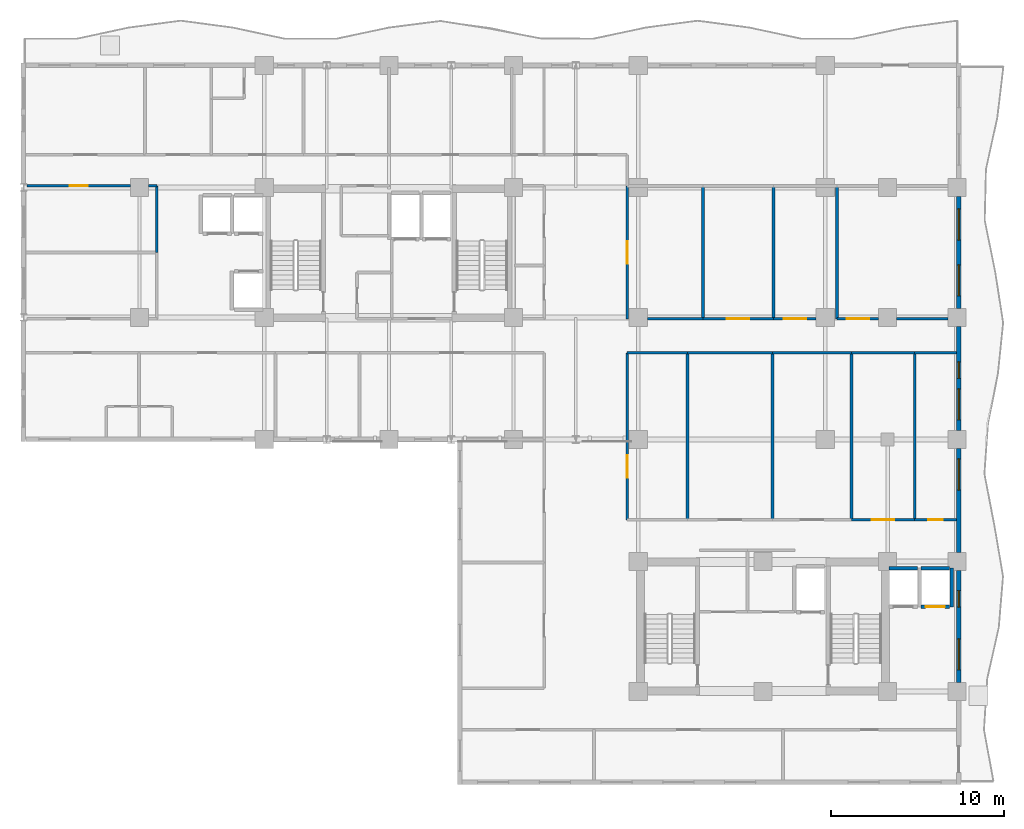
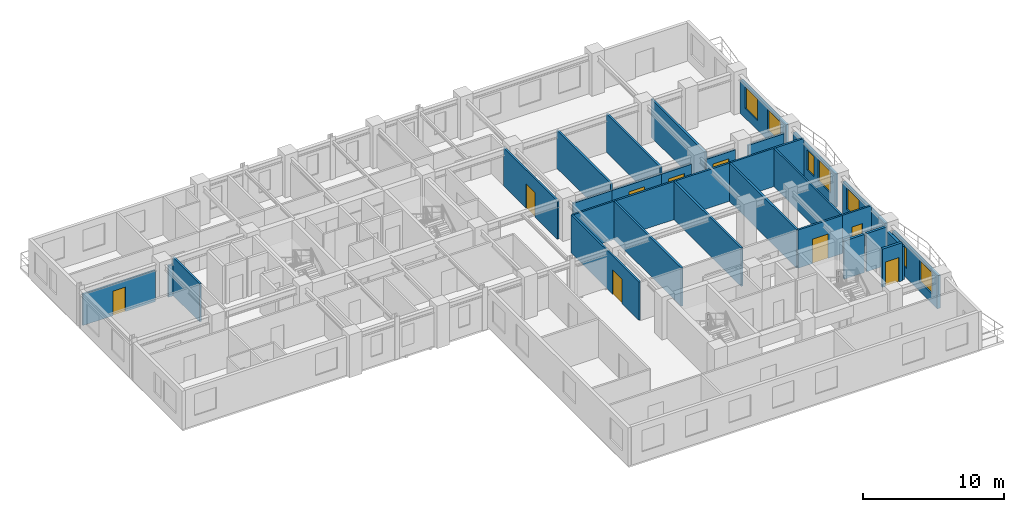
# One storey, part 7 of 13: 32 walls, 9 doors, 7 windows, 16 openings.
"""IFC4 building model written with IfcOpenShell, lengths in metres."""

from ifc_helpers import new_model, si_unit, direction, frame, frame_2d, origin, place, context, subcontext, project, spatial, rectangle, extrude, material, layer, layer_set, type_object, element, fill, save


model = new_model("IFC4")

# Units and contexts
model_context = context("Model", 3, precision=1e-05, world=origin(), true_north=direction((0.0, 1.0)))
body_context = subcontext(model_context, "Body", "Model", "MODEL_VIEW")
ifc_project = project(units=[si_unit("LENGTHUNIT", "METRE"), si_unit("AREAUNIT", "SQUARE_METRE"), si_unit("VOLUMEUNIT", "CUBIC_METRE"), si_unit("PLANEANGLEUNIT", "RADIAN"), si_unit("MASSUNIT", "GRAM", prefix="KILO")], contexts=[model_context])

# Site, building, storey
site_placement = place(None, origin())
site = spatial("IfcSite", under=ifc_project, at=site_placement, CompositionType="ELEMENT")
building_placement = place(site_placement, origin())
building = spatial("IfcBuilding", under=site, at=building_placement, Name="Kaliganga Portal Commons", CompositionType="ELEMENT")
storey_placement = place(building_placement, frame((0.0, 0.0, 188.300048828125)))
storey = spatial("IfcBuildingStorey", under=building, at=storey_placement, Name="L48", CompositionType="ELEMENT", Elevation=188.300048828125)

# Wall, openings, windows
ifc_material_1 = material(Name="Insulated Aluminium-Clad Spandrel Assembly", Category="aluminium")
ifc_layer_1 = layer(ifc_material_1, 0.260009765625)
ifc_layer_set_1 = layer_set([ifc_layer_1], Name="Insulated Aluminium-Clad Spandrel Assembly")
wall_type_1 = type_object("IfcWallType", Name="WL-EXT-SPAND-260", PredefinedType="STANDARD", material=ifc_layer_set_1)
wall_1_placement = place(storey_placement, frame((54.5, 14.02392578125, 0.0), z_axis=(0.0, 0.0, 1.0), x_axis=(0.0, -1.0, 0.0)))
wall_1 = element("IfcWall", 1, at=wall_1_placement, inside=storey, type_object=wall_type_1, Name="Exterior Envelope Wall L48 P1-E01-S2", PredefinedType="STANDARD", context=body_context, shape_type="SweptSolid", body=[
    extrude(rectangle(XDim=6.447998046875, YDim=0.260009765625, at=frame_2d((3.22412109375, 0.0))), origin(), (0.0, 0.0, 1.0), 2.869873046875),
])
opening_1_placement = place(wall_1_placement, frame((3.93603515625, 0.0, 0.85009765625)))
opening_1 = element("IfcOpeningElement", 2, at=opening_1_placement, cuts=wall_1, Name="Opening W-01", PredefinedType="OPENING", context=body_context, shape_type="SweptSolid", body=[
    extrude(rectangle(XDim=1.800048828125, YDim=1.85009765625, at=frame_2d((0.89990234375, 0.925048828125))), frame((0.0, 0.14013671875, 0.0), z_axis=(0.0, -1.0, 0.0), x_axis=(1.0, 0.0, 0.0)), (0.0, 0.0, 1.0), 0.280029296875),
])
opening_2_placement = place(wall_1_placement, frame((1.14990234375, 0.0, 0.85009765625)))
opening_2 = element("IfcOpeningElement", 3, at=opening_2_placement, cuts=wall_1, Name="Opening W-04", PredefinedType="OPENING", context=body_context, shape_type="SweptSolid", body=[
    extrude(rectangle(XDim=0.949951171875, YDim=1.75, at=frame_2d((0.47509765625, 0.875))), frame((0.0, 0.14013671875, 0.0), z_axis=(0.0, -1.0, 0.0), x_axis=(1.0, 0.0, 0.0)), (0.0, 0.0, 1.0), 0.280029296875),
])
ifc_material_2 = material(Name="Thermally Broken Aluminium and Low-E Double Glazing", Category="aluminium")
window_type_1 = type_object("IfcWindowType", Name="WIN-NARROW-950", PartitioningType="SINGLE_PANEL", PredefinedType="WINDOW", material=ifc_material_2)
window_1_placement = place(opening_2_placement, origin())
window_1 = element("IfcWindow", 4, at=window_1_placement, inside=storey, type_object=window_type_1, Name="Facade Window L48-P1E01S2-N1", OverallHeight=1.75, OverallWidth=0.949951171875, PartitioningType="SINGLE_PANEL", PredefinedType="WINDOW", context=body_context, shape_type="SweptSolid", body=[
    extrude(rectangle(XDim=0.949951171875, YDim=1.75, at=frame_2d((0.47509765625, 0.875))), frame((0.0, 0.030029296875, 0.0), z_axis=(0.0, -1.0, 0.0), x_axis=(1.0, 0.0, 0.0)), (0.0, 0.0, 1.0), 0.06005859375),
])
fill(opening_2, window_1)
window_type_2 = type_object("IfcWindowType", Name="WIN-STD-1800", PartitioningType="DOUBLE_PANEL_VERTICAL", PredefinedType="WINDOW", material=ifc_material_2)
window_2_placement = place(opening_1_placement, origin())
window_2 = element("IfcWindow", 5, at=window_2_placement, inside=storey, type_object=window_type_2, Name="Facade Window L48-P1E01S2-01", OverallHeight=1.85009765625, OverallWidth=1.800048828125, PartitioningType="SINGLE_PANEL", PredefinedType="WINDOW", context=body_context, shape_type="SweptSolid", body=[
    extrude(rectangle(XDim=1.800048828125, YDim=1.85009765625, at=frame_2d((0.89990234375, 0.925048828125))), frame((0.0, 0.030029296875, 0.0), z_axis=(0.0, -1.0, 0.0), x_axis=(1.0, 0.0, 0.0)), (0.0, 0.0, 1.0), 0.06005859375),
])
fill(opening_1, window_2)

# Wall, opening, window
wall_2_placement = place(storey_placement, frame((54.5, 21.073974609375, 0.0), z_axis=(0.0, 0.0, 1.0), x_axis=(0.0, -1.0, 0.0)))
wall_2 = element("IfcWall", 6, at=wall_2_placement, inside=storey, type_object=wall_type_1, Name="Exterior Envelope Wall L48 P1-E01-S3", PredefinedType="STANDARD", context=body_context, shape_type="SweptSolid", body=[
    extrude(rectangle(XDim=5.998046875, YDim=0.260009765625, at=frame_2d((2.9990234375, 0.0))), origin(), (0.0, 0.0, 1.0), 2.869873046875),
])
opening_3_placement = place(wall_2_placement, frame((0.599609375, 0.0, 0.85009765625)))
opening_3 = element("IfcOpeningElement", 7, at=opening_3_placement, cuts=wall_2, Name="Opening W-01", PredefinedType="OPENING", context=body_context, shape_type="SweptSolid", body=[
    extrude(rectangle(XDim=1.800048828125, YDim=1.85009765625, at=frame_2d((0.89990234375, 0.925048828125))), frame((0.0, 0.14013671875, 0.0), z_axis=(0.0, -1.0, 0.0), x_axis=(1.0, 0.0, 0.0)), (0.0, 0.0, 1.0), 0.280029296875),
])
window_3_placement = place(opening_3_placement, origin())
window_3 = element("IfcWindow", 8, at=window_3_placement, inside=storey, type_object=window_type_2, Name="Facade Window L48-P1E01S3-00", OverallHeight=1.85009765625, OverallWidth=1.800048828125, PartitioningType="SINGLE_PANEL", PredefinedType="WINDOW", context=body_context, shape_type="SweptSolid", body=[
    extrude(rectangle(XDim=1.800048828125, YDim=1.85009765625, at=frame_2d((0.89990234375, 0.925048828125))), frame((0.0, 0.030029296875, 0.0), z_axis=(0.0, -1.0, 0.0), x_axis=(1.0, 0.0, 0.0)), (0.0, 0.0, 1.0), 0.06005859375),
])
fill(opening_3, window_3)

# Wall, openings, windows
wall_3_placement = place(storey_placement, frame((54.5, 28.1240234375, 0.0), z_axis=(0.0, 0.0, 1.0), x_axis=(0.0, -1.0, 0.0)))
wall_3 = element("IfcWall", 9, at=wall_3_placement, inside=storey, type_object=wall_type_1, Name="Exterior Envelope Wall L48 P1-E01-S4", PredefinedType="STANDARD", context=body_context, shape_type="SweptSolid", body=[
    extrude(rectangle(XDim=5.998046875, YDim=0.260009765625, at=frame_2d((2.9990234375, 0.0))), origin(), (0.0, 0.0, 1.0), 2.869873046875),
])
opening_4_placement = place(wall_3_placement, frame((3.598388671875, 0.0, 0.85009765625)))
opening_4 = element("IfcOpeningElement", 10, at=opening_4_placement, cuts=wall_3, Name="Opening W-01", PredefinedType="OPENING", context=body_context, shape_type="SweptSolid", body=[
    extrude(rectangle(XDim=1.800048828125, YDim=1.85009765625, at=frame_2d((0.89990234375, 0.925048828125))), frame((0.0, 0.14013671875, 0.0), z_axis=(0.0, -1.0, 0.0), x_axis=(1.0, 0.0, 0.0)), (0.0, 0.0, 1.0), 0.280029296875),
])
opening_5_placement = place(wall_3_placement, frame((2.044189453125, 0.0, 0.85009765625)))
opening_5 = element("IfcOpeningElement", 11, at=opening_5_placement, cuts=wall_3, Name="Opening W-04", PredefinedType="OPENING", context=body_context, shape_type="SweptSolid", body=[
    extrude(rectangle(XDim=0.949951171875, YDim=1.75, at=frame_2d((0.47509765625, 0.875))), frame((0.0, 0.14013671875, 0.0), z_axis=(0.0, -1.0, 0.0), x_axis=(1.0, 0.0, 0.0)), (0.0, 0.0, 1.0), 0.280029296875),
])
window_4_placement = place(opening_5_placement, origin())
window_4 = element("IfcWindow", 12, at=window_4_placement, inside=storey, type_object=window_type_1, Name="Facade Window L48-P1E01S4-N5", OverallHeight=1.75, OverallWidth=0.949951171875, PartitioningType="SINGLE_PANEL", PredefinedType="WINDOW", context=body_context, shape_type="SweptSolid", body=[
    extrude(rectangle(XDim=0.949951171875, YDim=1.75, at=frame_2d((0.47509765625, 0.875))), frame((0.0, 0.030029296875, 0.0), z_axis=(0.0, -1.0, 0.0), x_axis=(1.0, 0.0, 0.0)), (0.0, 0.0, 1.0), 0.06005859375),
])
fill(opening_5, window_4)
window_5_placement = place(opening_4_placement, origin())
window_5 = element("IfcWindow", 13, at=window_5_placement, inside=storey, type_object=window_type_2, Name="Facade Window L48-P1E01S4-01", OverallHeight=1.85009765625, OverallWidth=1.800048828125, PartitioningType="SINGLE_PANEL", PredefinedType="WINDOW", context=body_context, shape_type="SweptSolid", body=[
    extrude(rectangle(XDim=1.800048828125, YDim=1.85009765625, at=frame_2d((0.89990234375, 0.925048828125))), frame((0.0, 0.030029296875, 0.0), z_axis=(0.0, -1.0, 0.0), x_axis=(1.0, 0.0, 0.0)), (0.0, 0.0, 1.0), 0.06005859375),
])
fill(opening_4, window_5)

wall_4_placement = place(storey_placement, frame((54.5, 35.6240234375, 0.0), z_axis=(0.0, 0.0, 1.0), x_axis=(0.0, -1.0, 0.0)))
wall_4 = element("IfcWall", 14, at=wall_4_placement, inside=storey, type_object=wall_type_1, Name="Exterior Envelope Wall L48 P1-E01-S5", PredefinedType="STANDARD", context=body_context, shape_type="SweptSolid", body=[
    extrude(rectangle(XDim=6.447998046875, YDim=0.260009765625, at=frame_2d((3.22412109375, 0.0))), origin(), (0.0, 0.0, 1.0), 2.869873046875),
])
opening_6_placement = place(wall_4_placement, frame((0.7119140625, 0.0, 0.85009765625)))
opening_6 = element("IfcOpeningElement", 15, at=opening_6_placement, cuts=wall_4, Name="Opening W-01", PredefinedType="OPENING", context=body_context, shape_type="SweptSolid", body=[
    extrude(rectangle(XDim=1.800048828125, YDim=1.85009765625, at=frame_2d((0.89990234375, 0.925048828125))), frame((0.0, 0.14013671875, 0.0), z_axis=(0.0, -1.0, 0.0), x_axis=(1.0, 0.0, 0.0)), (0.0, 0.0, 1.0), 0.280029296875),
])
opening_7_placement = place(wall_4_placement, frame((3.93603515625, 0.0, 0.85009765625)))
opening_7 = element("IfcOpeningElement", 16, at=opening_7_placement, cuts=wall_4, Name="Opening W-01", PredefinedType="OPENING", context=body_context, shape_type="SweptSolid", body=[
    extrude(rectangle(XDim=1.800048828125, YDim=1.85009765625, at=frame_2d((0.89990234375, 0.925048828125))), frame((0.0, 0.14013671875, 0.0), z_axis=(0.0, -1.0, 0.0), x_axis=(1.0, 0.0, 0.0)), (0.0, 0.0, 1.0), 0.280029296875),
])
window_6_placement = place(opening_6_placement, origin())
window_6 = element("IfcWindow", 17, at=window_6_placement, inside=storey, type_object=window_type_2, Name="Facade Window L48-P1E01S5-00", OverallHeight=1.85009765625, OverallWidth=1.800048828125, PartitioningType="SINGLE_PANEL", PredefinedType="WINDOW", context=body_context, shape_type="SweptSolid", body=[
    extrude(rectangle(XDim=1.800048828125, YDim=1.85009765625, at=frame_2d((0.89990234375, 0.925048828125))), frame((0.0, 0.030029296875, 0.0), z_axis=(0.0, -1.0, 0.0), x_axis=(1.0, 0.0, 0.0)), (0.0, 0.0, 1.0), 0.06005859375),
])
fill(opening_6, window_6)
window_7_placement = place(opening_7_placement, origin())
window_7 = element("IfcWindow", 18, at=window_7_placement, inside=storey, type_object=window_type_2, Name="Facade Window L48-P1E01S5-01", OverallHeight=1.85009765625, OverallWidth=1.800048828125, PartitioningType="SINGLE_PANEL", PredefinedType="WINDOW", context=body_context, shape_type="SweptSolid", body=[
    extrude(rectangle(XDim=1.800048828125, YDim=1.85009765625, at=frame_2d((0.89990234375, 0.925048828125))), frame((0.0, 0.030029296875, 0.0), z_axis=(0.0, -1.0, 0.0), x_axis=(1.0, 0.0, 0.0)), (0.0, 0.0, 1.0), 0.06005859375),
])
fill(opening_7, window_7)

# Wall, opening, door
ifc_material_3 = material(Name="Fire-Rated Gypsum Board on Steel Stud", Category="steel")
ifc_layer_2 = layer(ifc_material_3, 0.14990234375)
ifc_layer_set_2 = layer_set([ifc_layer_2], Name="Fire-Rated Gypsum Board on Steel Stud")
wall_type_2 = type_object("IfcWallType", Name="WL-PART-CORR-150", PredefinedType="PARTITIONING", material=ifc_layer_set_2)
wall_5_placement = place(storey_placement, frame((35.360107421875, 16.9599609375, 0.0), z_axis=(0.0, 0.0, 1.0), x_axis=(0.0, 1.0, 0.0)))
wall_5 = element("IfcWall", 19, at=wall_5_placement, inside=storey, type_object=wall_type_2, Name="Interior Partition L48-012", PredefinedType="PARTITIONING", context=body_context, shape_type="SweptSolid", body=[
    extrude(rectangle(XDim=9.64013671875, YDim=0.14990234375, at=frame_2d((4.820068359375, 0.0))), origin(), (0.0, 0.0, 1.0), 3.320068359375),
])
opening_8_placement = place(wall_5_placement, frame((2.434814453125, 0.0, 0.0)))
opening_8 = element("IfcOpeningElement", 20, at=opening_8_placement, cuts=wall_5, Name="Opening RD-03", PredefinedType="OPENING", context=body_context, shape_type="SweptSolid", body=[
    extrude(rectangle(XDim=1.300048828125, YDim=2.1201171875, at=frame_2d((0.64990234375, 1.06005859375))), frame((0.0, 0.0849609375, 0.0), z_axis=(0.0, -1.0, 0.0), x_axis=(1.0, 0.0, 0.0)), (0.0, 0.0, 1.0), 0.169921875),
])
ifc_material_4 = material(Name="Glazed Timber Seminar Vision Door", Category="wood")
door_type_1 = type_object("IfcDoorType", Name="DR-STUDY-1300", OperationType="DOUBLE_DOOR_SINGLE_SWING", PredefinedType="DOOR", material=ifc_material_4)
door_1_placement = place(opening_8_placement, origin())
door_1 = element("IfcDoor", 21, at=door_1_placement, inside=storey, type_object=door_type_1, Name="Interior Door L48-BM01", OperationType="DOUBLE_DOOR_SINGLE_SWING", OverallHeight=2.1201171875, OverallWidth=1.300048828125, PredefinedType="DOOR", context=body_context, shape_type="SweptSolid", body=[
    extrude(rectangle(XDim=1.300048828125, YDim=2.1201171875, at=frame_2d((0.64990234375, 1.06005859375))), frame((0.0, 0.02490234375, 0.0), z_axis=(0.0, -1.0, 0.0), x_axis=(1.0, 0.0, 0.0)), (0.0, 0.0, 1.0), 0.050048828125),
])
fill(opening_8, door_1)

wall_6_placement = place(storey_placement, frame((0.701904296875, 36.239990234375, 0.0), z_axis=(0.0, 0.0, 1.0), x_axis=(1.0, 0.0, 0.0)))
wall_6 = element("IfcWall", 22, at=wall_6_placement, inside=storey, type_object=wall_type_2, Name="Interior Partition L48-017", PredefinedType="PARTITIONING", context=body_context, shape_type="SweptSolid", body=[
    extrude(rectangle(XDim=5.97314453125, YDim=0.14990234375, at=frame_2d((2.986572265625, 0.0))), origin(), (0.0, 0.0, 1.0), 2.719970703125),
])
opening_9_placement = place(wall_6_placement, frame((2.46142578125, 0.0, 0.0)))
opening_9 = element("IfcOpeningElement", 23, at=opening_9_placement, cuts=wall_6, Name="Opening UD-02", PredefinedType="OPENING", context=body_context, shape_type="SweptSolid", body=[
    extrude(rectangle(XDim=1.050048828125, YDim=2.1201171875, at=frame_2d((0.52490234375, 1.06005859375))), frame((0.0, 0.0849609375, 0.0), z_axis=(0.0, -1.0, 0.0), x_axis=(1.0, 0.0, 0.0)), (0.0, 0.0, 1.0), 0.169921875),
])
ifc_material_5 = material(Name="Accessible Wide-Leaf Acoustic Fire Door", Category="wood")
door_type_2 = type_object("IfcDoorType", Name="DR-ACC-1050", OperationType="NOTDEFINED", PredefinedType="DOOR", material=ifc_material_5)
door_2_placement = place(opening_9_placement, origin())
door_2 = element("IfcDoor", 24, at=door_2_placement, inside=storey, type_object=door_type_2, Name="Interior Door L48-AW02", OperationType="SINGLE_SWING_RIGHT", OverallHeight=2.1201171875, OverallWidth=1.050048828125, PredefinedType="DOOR", context=body_context, shape_type="SweptSolid", body=[
    extrude(rectangle(XDim=1.050048828125, YDim=2.1201171875, at=frame_2d((0.52490234375, 1.06005859375))), frame((0.0, 0.02490234375, 0.0), z_axis=(0.0, -1.0, 0.0), x_axis=(1.0, 0.0, 0.0)), (0.0, 0.0, 1.0), 0.050048828125),
])
fill(opening_9, door_2)

# Wall
wall_7_placement = place(storey_placement, frame((7.72509765625, 36.239990234375, 0.0), z_axis=(0.0, 0.0, 1.0), x_axis=(1.0, 0.0, 0.0)))
element("IfcWall", 25, at=wall_7_placement, inside=storey, type_object=wall_type_2, Name="Interior Partition L48-018", PredefinedType="PARTITIONING", context=body_context, shape_type="SweptSolid", body=[
    extrude(rectangle(XDim=0.474853515625, YDim=0.14990234375, at=frame_2d((0.2373046875, 0.0))), origin(), (0.0, 0.0, 1.0), 2.719970703125),
])

# Wall, opening, door
wall_8_placement = place(storey_placement, frame((35.360107421875, 28.56005859375, 0.0), z_axis=(0.0, 0.0, 1.0), x_axis=(0.0, 1.0, 0.0)))
wall_8 = element("IfcWall", 26, at=wall_8_placement, inside=storey, type_object=wall_type_2, Name="Interior Partition L48-019", PredefinedType="PARTITIONING", context=body_context, shape_type="SweptSolid", body=[
    extrude(rectangle(XDim=7.679931640625, YDim=0.14990234375, at=frame_2d((3.83984375, 0.0))), origin(), (0.0, 0.0, 1.0), 3.320068359375),
])
opening_10_placement = place(wall_8_placement, frame((3.18994140625, 0.0, 0.0)))
opening_10 = element("IfcOpeningElement", 27, at=opening_10_placement, cuts=wall_8, Name="Opening RD-03", PredefinedType="OPENING", context=body_context, shape_type="SweptSolid", body=[
    extrude(rectangle(XDim=1.300048828125, YDim=2.1201171875, at=frame_2d((0.64990234375, 1.06005859375))), frame((0.0, 0.0849609375, 0.0), z_axis=(0.0, -1.0, 0.0), x_axis=(1.0, 0.0, 0.0)), (0.0, 0.0, 1.0), 0.169921875),
])
door_3_placement = place(opening_10_placement, origin())
door_3 = element("IfcDoor", 28, at=door_3_placement, inside=storey, type_object=door_type_1, Name="Interior Door L48-BK01", OperationType="DOUBLE_DOOR_SINGLE_SWING", OverallHeight=2.1201171875, OverallWidth=1.300048828125, PredefinedType="DOOR", context=body_context, shape_type="SweptSolid", body=[
    extrude(rectangle(XDim=1.300048828125, YDim=2.1201171875, at=frame_2d((0.64990234375, 1.06005859375))), frame((0.0, 0.02490234375, 0.0), z_axis=(0.0, -1.0, 0.0), x_axis=(1.0, 0.0, 0.0)), (0.0, 0.0, 1.0), 0.050048828125),
])
fill(opening_10, door_3)

wall_9_placement = place(storey_placement, frame((47.47998046875, 28.56005859375, 0.0), z_axis=(0.0, 0.0, 1.0), x_axis=(1.0, 0.0, 0.0)))
wall_9 = element("IfcWall", 29, at=wall_9_placement, inside=storey, type_object=wall_type_2, Name="Interior Partition L48-023", PredefinedType="PARTITIONING", context=body_context, shape_type="SweptSolid", body=[
    extrude(rectangle(XDim=2.39501953125, YDim=0.14990234375, at=frame_2d((1.197509765625, 0.0))), origin(), (0.0, 0.0, 1.0), 2.719970703125),
])
opening_11_placement = place(wall_9_placement, frame((0.547607421875, 0.0, 0.0)))
opening_11 = element("IfcOpeningElement", 30, at=opening_11_placement, cuts=wall_9, Name="Opening RD-03", PredefinedType="OPENING", context=body_context, shape_type="SweptSolid", body=[
    extrude(rectangle(XDim=1.300048828125, YDim=2.1201171875, at=frame_2d((0.64990234375, 1.06005859375))), frame((0.0, 0.0849609375, 0.0), z_axis=(0.0, -1.0, 0.0), x_axis=(1.0, 0.0, 0.0)), (0.0, 0.0, 1.0), 0.169921875),
])
door_4_placement = place(opening_11_placement, origin())
door_4 = element("IfcDoor", 31, at=door_4_placement, inside=storey, type_object=door_type_1, Name="Interior Door L48-BK04", OperationType="DOUBLE_DOOR_SINGLE_SWING", OverallHeight=2.1201171875, OverallWidth=1.300048828125, PredefinedType="DOOR", context=body_context, shape_type="SweptSolid", body=[
    extrude(rectangle(XDim=1.300048828125, YDim=2.1201171875, at=frame_2d((0.64990234375, 1.06005859375))), frame((0.0, 0.02490234375, 0.0), z_axis=(0.0, -1.0, 0.0), x_axis=(1.0, 0.0, 0.0)), (0.0, 0.0, 1.0), 0.050048828125),
])
fill(opening_11, door_4)

# Walls
wall_10_placement = place(storey_placement, frame((50.925048828125, 28.56005859375, 0.0), z_axis=(0.0, 0.0, 1.0), x_axis=(1.0, 0.0, 0.0)))
element("IfcWall", 32, at=wall_10_placement, inside=storey, type_object=wall_type_2, Name="Interior Partition L48-024", PredefinedType="PARTITIONING", context=body_context, shape_type="SweptSolid", body=[
    extrude(rectangle(XDim=2.949951171875, YDim=0.14990234375, at=frame_2d((1.47509765625, 0.0))), origin(), (0.0, 0.0, 1.0), 2.719970703125),
])
wall_11_placement = place(storey_placement, frame((38.840087890625, 26.60009765625, 0.0), z_axis=(0.0, 0.0, 1.0), x_axis=(1.0, 0.0, 0.0)))
element("IfcWall", 33, at=wall_11_placement, inside=storey, type_object=wall_type_2, Name="Interior Partition L48-031", PredefinedType="PARTITIONING", context=body_context, shape_type="SweptSolid", body=[
    extrude(rectangle(XDim=4.919921875, YDim=0.14990234375, at=frame_2d((2.4599609375, 0.0))), origin(), (0.0, 0.0, 1.0), 3.320068359375),
])
wall_12_placement = place(storey_placement, frame((43.760009765625, 26.60009765625, 0.0), z_axis=(0.0, 0.0, 1.0), x_axis=(1.0, 0.0, 0.0)))
element("IfcWall", 34, at=wall_12_placement, inside=storey, type_object=wall_type_2, Name="Interior Partition L48-037", PredefinedType="PARTITIONING", context=body_context, shape_type="SweptSolid", body=[
    extrude(rectangle(XDim=4.56005859375, YDim=0.14990234375, at=frame_2d((2.280029296875, 0.0))), origin(), (0.0, 0.0, 1.0), 3.320068359375),
])
wall_13_placement = place(storey_placement, frame((36.52490234375, 28.56005859375, 0.0), z_axis=(0.0, 0.0, 1.0), x_axis=(1.0, 0.0, 0.0)))
element("IfcWall", 35, at=wall_13_placement, inside=storey, type_object=wall_type_2, Name="Interior Partition L48-038", PredefinedType="PARTITIONING", context=body_context, shape_type="SweptSolid", body=[
    extrude(rectangle(XDim=3.215087890625, YDim=0.14990234375, at=frame_2d((1.607421875, 0.0))), origin(), (0.0, 0.0, 1.0), 2.719970703125),
])

# Wall, opening, door
wall_14_placement = place(storey_placement, frame((39.739990234375, 28.56005859375, 0.0), z_axis=(0.0, 0.0, 1.0), x_axis=(1.0, 0.0, 0.0)))
wall_14 = element("IfcWall", 36, at=wall_14_placement, inside=storey, type_object=wall_type_2, Name="Interior Partition L48-039", PredefinedType="PARTITIONING", context=body_context, shape_type="SweptSolid", body=[
    extrude(rectangle(XDim=4.06005859375, YDim=0.14990234375, at=frame_2d((2.030029296875, 0.0))), origin(), (0.0, 0.0, 1.0), 2.719970703125),
])
opening_12_placement = place(wall_14_placement, frame((1.3798828125, 0.0, 0.0)))
opening_12 = element("IfcOpeningElement", 37, at=opening_12_placement, cuts=wall_14, Name="Opening RD-03", PredefinedType="OPENING", context=body_context, shape_type="SweptSolid", body=[
    extrude(rectangle(XDim=1.300048828125, YDim=2.1201171875, at=frame_2d((0.64990234375, 1.06005859375))), frame((0.0, 0.0849609375, 0.0), z_axis=(0.0, -1.0, 0.0), x_axis=(1.0, 0.0, 0.0)), (0.0, 0.0, 1.0), 0.169921875),
])
door_5_placement = place(opening_12_placement, origin())
door_5 = element("IfcDoor", 38, at=door_5_placement, inside=storey, type_object=door_type_1, Name="Interior Door L48-BK02", OperationType="DOUBLE_DOOR_SINGLE_SWING", OverallHeight=2.1201171875, OverallWidth=1.300048828125, PredefinedType="DOOR", context=body_context, shape_type="SweptSolid", body=[
    extrude(rectangle(XDim=1.300048828125, YDim=2.1201171875, at=frame_2d((0.64990234375, 1.06005859375))), frame((0.0, 0.02490234375, 0.0), z_axis=(0.0, -1.0, 0.0), x_axis=(1.0, 0.0, 0.0)), (0.0, 0.0, 1.0), 0.050048828125),
])
fill(opening_12, door_5)

# Wall
wall_15_placement = place(storey_placement, frame((8.199951171875, 32.39990234375, 0.0), z_axis=(0.0, 0.0, 1.0), x_axis=(0.0, 1.0, 0.0)))
element("IfcWall", 39, at=wall_15_placement, inside=storey, type_object=wall_type_2, Name="Interior Partition L48-040", PredefinedType="PARTITIONING", context=body_context, shape_type="SweptSolid", body=[
    extrude(rectangle(XDim=3.840087890625, YDim=0.14990234375, at=frame_2d((1.919921875, 0.0))), origin(), (0.0, 0.0, 1.0), 3.320068359375),
])

# Wall, opening, door
wall_16_placement = place(storey_placement, frame((43.800048828125, 28.56005859375, 0.0), z_axis=(0.0, 0.0, 1.0), x_axis=(1.0, 0.0, 0.0)))
wall_16 = element("IfcWall", 40, at=wall_16_placement, inside=storey, type_object=wall_type_2, Name="Interior Partition L48-043", PredefinedType="PARTITIONING", context=body_context, shape_type="SweptSolid", body=[
    extrude(rectangle(XDim=2.474853515625, YDim=0.14990234375, at=frame_2d((1.2373046875, 0.0))), origin(), (0.0, 0.0, 1.0), 2.719970703125),
])
opening_13_placement = place(wall_16_placement, frame((0.58740234375, 0.0, 0.0)))
opening_13 = element("IfcOpeningElement", 41, at=opening_13_placement, cuts=wall_16, Name="Opening RD-03", PredefinedType="OPENING", context=body_context, shape_type="SweptSolid", body=[
    extrude(rectangle(XDim=1.300048828125, YDim=2.1201171875, at=frame_2d((0.64990234375, 1.06005859375))), frame((0.0, 0.0849609375, 0.0), z_axis=(0.0, -1.0, 0.0), x_axis=(1.0, 0.0, 0.0)), (0.0, 0.0, 1.0), 0.169921875),
])
door_6_placement = place(opening_13_placement, origin())
door_6 = element("IfcDoor", 42, at=door_6_placement, inside=storey, type_object=door_type_1, Name="Interior Door L48-BK03", OperationType="DOUBLE_DOOR_SINGLE_SWING", OverallHeight=2.1201171875, OverallWidth=1.300048828125, PredefinedType="DOOR", context=body_context, shape_type="SweptSolid", body=[
    extrude(rectangle(XDim=1.300048828125, YDim=2.1201171875, at=frame_2d((0.64990234375, 1.06005859375))), frame((0.0, 0.02490234375, 0.0), z_axis=(0.0, -1.0, 0.0), x_axis=(1.0, 0.0, 0.0)), (0.0, 0.0, 1.0), 0.050048828125),
])
fill(opening_13, door_6)

wall_17_placement = place(storey_placement, frame((48.320068359375, 16.9599609375, 0.0), z_axis=(0.0, 0.0, 1.0), x_axis=(1.0, 0.0, 0.0)))
wall_17 = element("IfcWall", 43, at=wall_17_placement, inside=storey, type_object=wall_type_2, Name="Interior Partition L48-044", PredefinedType="PARTITIONING", context=body_context, shape_type="SweptSolid", body=[
    extrude(rectangle(XDim=3.639892578125, YDim=0.14990234375, at=frame_2d((1.81982421875, 0.0))), origin(), (0.0, 0.0, 1.0), 3.320068359375),
])
opening_14_placement = place(wall_17_placement, frame((1.169921875, 0.0, 0.0)))
opening_14 = element("IfcOpeningElement", 44, at=opening_14_placement, cuts=wall_17, Name="Opening RD-03", PredefinedType="OPENING", context=body_context, shape_type="SweptSolid", body=[
    extrude(rectangle(XDim=1.300048828125, YDim=2.1201171875, at=frame_2d((0.64990234375, 1.06005859375))), frame((0.0, 0.0849609375, 0.0), z_axis=(0.0, -1.0, 0.0), x_axis=(1.0, 0.0, 0.0)), (0.0, 0.0, 1.0), 0.169921875),
])
door_7_placement = place(opening_14_placement, origin())
door_7 = element("IfcDoor", 45, at=door_7_placement, inside=storey, type_object=door_type_1, Name="Interior Door L48-BM04", OperationType="DOUBLE_DOOR_SINGLE_SWING", OverallHeight=2.1201171875, OverallWidth=1.300048828125, PredefinedType="DOOR", context=body_context, shape_type="SweptSolid", body=[
    extrude(rectangle(XDim=1.300048828125, YDim=2.1201171875, at=frame_2d((0.64990234375, 1.06005859375))), frame((0.0, 0.02490234375, 0.0), z_axis=(0.0, -1.0, 0.0), x_axis=(1.0, 0.0, 0.0)), (0.0, 0.0, 1.0), 0.050048828125),
])
fill(opening_14, door_7)

# Walls
wall_18_placement = place(storey_placement, frame((48.320068359375, 26.60009765625, 0.0), z_axis=(0.0, 0.0, 1.0), x_axis=(1.0, 0.0, 0.0)))
element("IfcWall", 46, at=wall_18_placement, inside=storey, type_object=wall_type_2, Name="Interior Partition L48-045", PredefinedType="PARTITIONING", context=body_context, shape_type="SweptSolid", body=[
    extrude(rectangle(XDim=3.639892578125, YDim=0.14990234375, at=frame_2d((1.81982421875, 0.0))), origin(), (0.0, 0.0, 1.0), 3.320068359375),
])
wall_19_placement = place(storey_placement, frame((35.360107421875, 26.60009765625, 0.0), z_axis=(0.0, 0.0, 1.0), x_axis=(1.0, 0.0, 0.0)))
element("IfcWall", 47, at=wall_19_placement, inside=storey, type_object=wall_type_2, Name="Interior Partition L48-047", PredefinedType="PARTITIONING", context=body_context, shape_type="SweptSolid", body=[
    extrude(rectangle(XDim=3.47998046875, YDim=0.14990234375, at=frame_2d((1.739990234375, 0.0))), origin(), (0.0, 0.0, 1.0), 3.320068359375),
])

# Wall, opening, door
wall_20_placement = place(storey_placement, frame((51.9599609375, 16.9599609375, 0.0), z_axis=(0.0, 0.0, 1.0), x_axis=(1.0, 0.0, 0.0)))
wall_20 = element("IfcWall", 48, at=wall_20_placement, inside=storey, type_object=wall_type_2, Name="Interior Partition L48-057", PredefinedType="PARTITIONING", context=body_context, shape_type="SweptSolid", body=[
    extrude(rectangle(XDim=2.407958984375, YDim=0.14990234375, at=frame_2d((1.2041015625, 0.0))), origin(), (0.0, 0.0, 1.0), 3.320068359375),
])
opening_15_placement = place(wall_20_placement, frame((0.779052734375, 0.0, 0.0)))
opening_15 = element("IfcOpeningElement", 49, at=opening_15_placement, cuts=wall_20, Name="Opening WD-01", PredefinedType="OPENING", context=body_context, shape_type="SweptSolid", body=[
    extrude(rectangle(XDim=0.85009765625, YDim=2.0400390625, at=frame_2d((0.425048828125, 1.02001953125))), frame((0.0, 0.0849609375, 0.0), z_axis=(0.0, -1.0, 0.0), x_axis=(1.0, 0.0, 0.0)), (0.0, 0.0, 1.0), 0.169921875),
])
ifc_material_6 = material(Name="Moisture-Resistant Laminate Timber Door", Category="wood")
door_type_3 = type_object("IfcDoorType", Name="DR-WET-850", OperationType="NOTDEFINED", PredefinedType="DOOR", material=ifc_material_6)
door_8_placement = place(opening_15_placement, origin())
door_8 = element("IfcDoor", 50, at=door_8_placement, inside=storey, type_object=door_type_3, Name="Interior Door L48-BM05", OperationType="SINGLE_SWING_RIGHT", OverallHeight=2.0400390625, OverallWidth=0.85009765625, PredefinedType="DOOR", context=body_context, shape_type="SweptSolid", body=[
    extrude(rectangle(XDim=0.85009765625, YDim=2.0400390625, at=frame_2d((0.425048828125, 1.02001953125))), frame((0.0, 0.02490234375, 0.0), z_axis=(0.0, -1.0, 0.0), x_axis=(1.0, 0.0, 0.0)), (0.0, 0.0, 1.0), 0.050048828125),
])
fill(opening_15, door_8)

# Walls
wall_21_placement = place(storey_placement, frame((51.9599609375, 26.60009765625, 0.0), z_axis=(0.0, 0.0, 1.0), x_axis=(1.0, 0.0, 0.0)))
element("IfcWall", 51, at=wall_21_placement, inside=storey, type_object=wall_type_2, Name="Interior Partition L48-058", PredefinedType="PARTITIONING", context=body_context, shape_type="SweptSolid", body=[
    extrude(rectangle(XDim=2.407958984375, YDim=0.14990234375, at=frame_2d((1.2041015625, 0.0))), origin(), (0.0, 0.0, 1.0), 3.320068359375),
])
ifc_material_7 = material(Name="Twin-Stud Acoustic Gypsum Partition", Category="gypsum")
ifc_layer_3 = layer(ifc_material_7, 0.1650390625)
ifc_layer_set_3 = layer_set([ifc_layer_3], Name="Twin-Stud Acoustic Gypsum Partition")
wall_type_3 = type_object("IfcWallType", Name="WL-PART-UNIT-165", PredefinedType="PARTITIONING", material=ifc_layer_set_3)
for number, where, z_axis, x_axis, name in (
    (52, (38.840087890625, 16.9599609375, 0.0), (0.0, 0.0, 1.0), (0.0, 1.0, 0.0), "Interior Partition L48-067"),
    (53, (43.760009765625, 16.9599609375, 0.0), (0.0, 0.0, 1.0), (0.0, 1.0, 0.0), "Interior Partition L48-068"),
    (54, (48.320068359375, 16.9599609375, 0.0), (0.0, 0.0, 1.0), (0.0, 1.0, 0.0), "Interior Partition L48-069"),
):
    element("IfcWall", number, at=place(storey_placement, frame(where, z_axis=z_axis, x_axis=x_axis)), inside=storey, type_object=wall_type_3, Name=name, PredefinedType="PARTITIONING", context=body_context, shape_type="SweptSolid", body=[
        extrude(rectangle(XDim=9.64013671875, YDim=0.1650390625, at=frame_2d((4.820068359375, 0.0))), origin(), (0.0, 0.0, 1.0), 3.320068359375),
    ])
for number, where, z_axis, x_axis, name in (
    (55, (39.739990234375, 28.56005859375, 0.0), (0.0, 0.0, 1.0), (0.0, 1.0, 0.0), "Interior Partition L48-072"),
    (56, (43.800048828125, 28.56005859375, 0.0), (0.0, 0.0, 1.0), (0.0, 1.0, 0.0), "Interior Partition L48-073"),
    (57, (47.47998046875, 28.56005859375, 0.0), (0.0, 0.0, 1.0), (0.0, 1.0, 0.0), "Interior Partition L48-074"),
):
    element("IfcWall", number, at=place(storey_placement, frame(where, z_axis=z_axis, x_axis=x_axis)), inside=storey, type_object=wall_type_3, Name=name, PredefinedType="PARTITIONING", context=body_context, shape_type="SweptSolid", body=[
        extrude(rectangle(XDim=7.679931640625, YDim=0.1650390625, at=frame_2d((3.83984375, 0.0))), origin(), (0.0, 0.0, 1.0), 3.320068359375),
    ])
ifc_material_8 = material(Name="Cement-Board Wet-Room Partition", Category="gypsum")
ifc_layer_4 = layer(ifc_material_8, 0.135009765625)
ifc_layer_set_4 = layer_set([ifc_layer_4], Name="Cement-Board Wet-Room Partition")
wall_type_4 = type_object("IfcWallType", Name="WL-PART-WET-135", PredefinedType="PARTITIONING", material=ifc_layer_set_4)
wall_22_placement = place(storey_placement, frame((51.9599609375, 16.9599609375, 0.0), z_axis=(0.0, 0.0, 1.0), x_axis=(0.0, 1.0, 0.0)))
element("IfcWall", 58, at=wall_22_placement, inside=storey, type_object=wall_type_4, Name="Interior Partition L48-070", PredefinedType="PARTITIONING", context=body_context, shape_type="SweptSolid", body=[
    extrude(rectangle(XDim=9.64013671875, YDim=0.135009765625, at=frame_2d((4.820068359375, 0.0))), origin(), (0.0, 0.0, 1.0), 3.320068359375),
])
ifc_material_9 = material(Name="Fire-Rated Shaftwall Masonry Assembly", Category="masonry")
ifc_layer_5 = layer(ifc_material_9, 0.199951171875)
ifc_layer_set_5 = layer_set([ifc_layer_5], Name="Fire-Rated Shaftwall Masonry Assembly")
wall_type_5 = type_object("IfcWallType", Name="WL-SHAFT-200", PredefinedType="PARTITIONING", material=ifc_layer_set_5)
wall_23_placement = place(storey_placement, frame((50.47509765625, 14.1650390625, 0.0), z_axis=(0.0, 0.0, 1.0), x_axis=(1.0, 0.0, 0.0)))
element("IfcWall", 59, at=wall_23_placement, inside=storey, type_object=wall_type_5, Name="Lift PL-B3 Hoistway Shaft Wall L48-N", PredefinedType="PARTITIONING", context=body_context, shape_type="SweptSolid", body=[
    extrude(rectangle(XDim=1.64990234375, YDim=0.199951171875, at=frame_2d((0.824951171875, 0.0))), origin(), (0.0, 0.0, 1.0), 3.320068359375),
])

# Wall, opening, door
wall_24_placement = place(storey_placement, frame((52.324951171875, 11.93505859375, 0.0), z_axis=(0.0, 0.0, 1.0), x_axis=(1.0, 0.0, 0.0)))
wall_24 = element("IfcWall", 60, at=wall_24_placement, inside=storey, type_object=wall_type_5, Name="Lift PL-B4 Hoistway Shaft Wall L48-S", PredefinedType="PARTITIONING", context=body_context, shape_type="SweptSolid", body=[
    extrude(rectangle(XDim=1.650146484375, YDim=0.199951171875, at=frame_2d((0.8251953125, 0.0))), origin(), (0.0, 0.0, 1.0), 3.320068359375),
])
opening_16_placement = place(wall_24_placement, frame((0.27490234375, 0.0, 0.0)))
opening_16 = element("IfcOpeningElement", 61, at=opening_16_placement, cuts=wall_24, Name="Opening LD-01", PredefinedType="OPENING", context=body_context, shape_type="SweptSolid", body=[
    extrude(rectangle(XDim=1.10009765625, YDim=2.1201171875, at=frame_2d((0.550048828125, 1.06005859375))), frame((0.0, 0.10986328125, 0.0), z_axis=(0.0, -1.0, 0.0), x_axis=(1.0, 0.0, 0.0)), (0.0, 0.0, 1.0), 0.219970703125),
])
ifc_material_10 = material(Name="Brushed Stainless Steel 316 Lift Landing Door", Category="steel")
door_type_4 = type_object("IfcDoorType", Name="DR-LIFT-1100", OperationType="SLIDING_TO_LEFT", PredefinedType="DOOR", material=ifc_material_10)
door_9_placement = place(opening_16_placement, origin())
door_9 = element("IfcDoor", 62, at=door_9_placement, inside=storey, type_object=door_type_4, Name="Lift PL-B4 Sliding Landing Door L48", OperationType="SLIDING_TO_LEFT", OverallHeight=2.1201171875, OverallWidth=1.10009765625, PredefinedType="DOOR", context=body_context, shape_type="SweptSolid", body=[
    extrude(rectangle(XDim=1.10009765625, YDim=2.1201171875, at=frame_2d((0.550048828125, 1.06005859375))), frame((0.0, 0.02490234375, 0.0), z_axis=(0.0, -1.0, 0.0), x_axis=(1.0, 0.0, 0.0)), (0.0, 0.0, 1.0), 0.050048828125),
])
fill(opening_16, door_9)

# Walls
wall_25_placement = place(storey_placement, frame((52.324951171875, 14.1650390625, 0.0), z_axis=(0.0, 0.0, 1.0), x_axis=(1.0, 0.0, 0.0)))
element("IfcWall", 63, at=wall_25_placement, inside=storey, type_object=wall_type_5, Name="Lift PL-B4 Hoistway Shaft Wall L48-N", PredefinedType="PARTITIONING", context=body_context, shape_type="SweptSolid", body=[
    extrude(rectangle(XDim=1.650146484375, YDim=0.199951171875, at=frame_2d((0.8251953125, 0.0))), origin(), (0.0, 0.0, 1.0), 3.320068359375),
])
wall_26_placement = place(storey_placement, frame((54.114990234375, 11.93505859375, 0.0), z_axis=(0.0, 0.0, 1.0), x_axis=(0.0, 1.0, 0.0)))
element("IfcWall", 64, at=wall_26_placement, inside=storey, type_object=wall_type_5, Name="Lift PL-B4 Hoistway Shaft Wall L48-E", PredefinedType="PARTITIONING", context=body_context, shape_type="SweptSolid", body=[
    extrude(rectangle(XDim=2.22998046875, YDim=0.199951171875, at=frame_2d((1.114990234375, 0.0))), origin(), (0.0, 0.0, 1.0), 2.869873046875),
])

save(model, "model.ifc")
